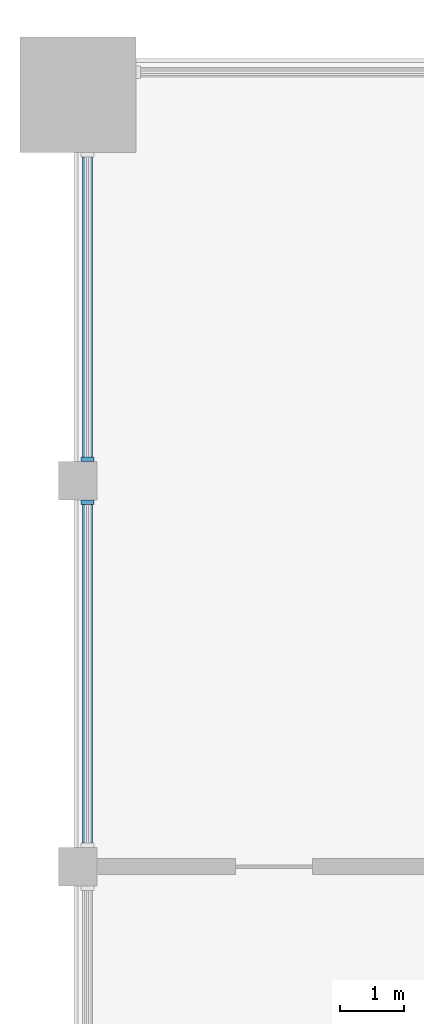
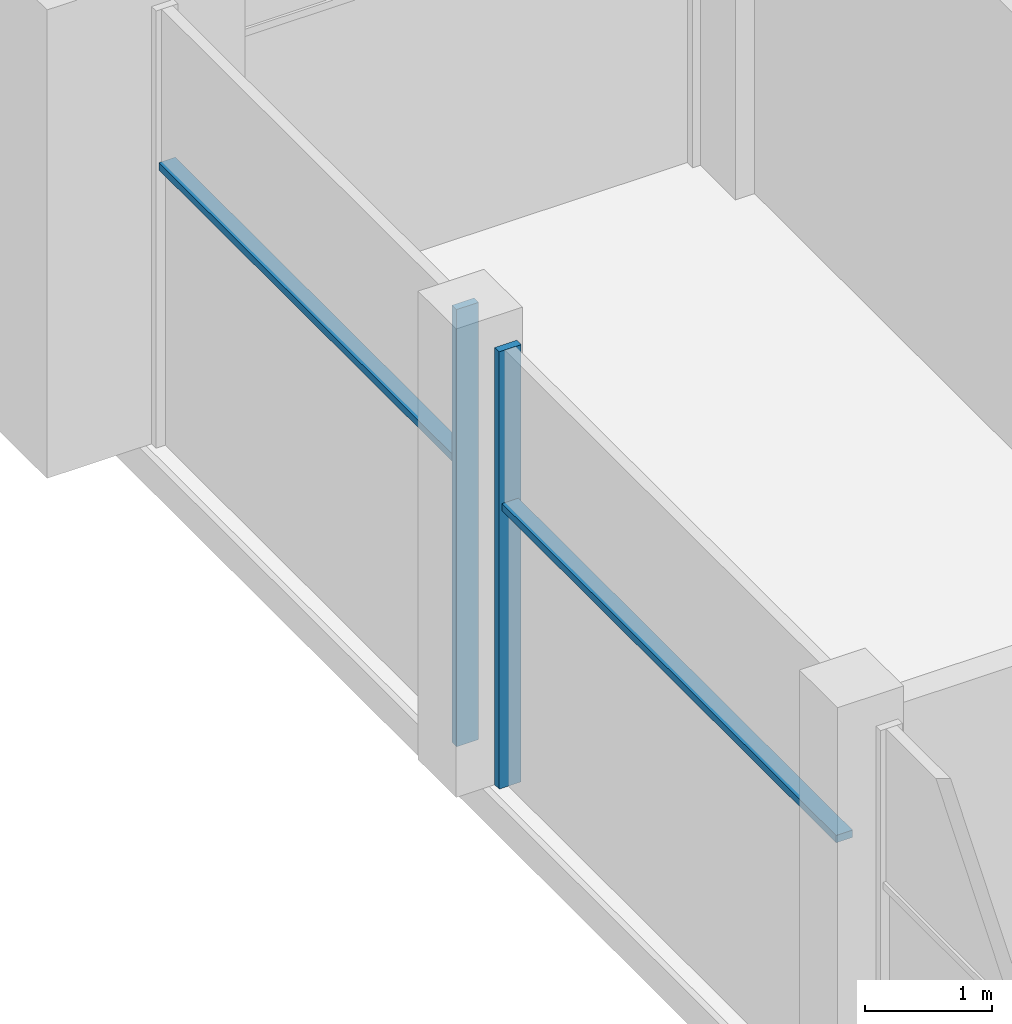
# One storey, part 3 of 9: 4 members, 2 elements without a shape of their own.
"""IFC4 building model written with IfcOpenShell, lengths in metres."""

from ifc_helpers import new_model, si_unit, direction, frame, origin, origin_2d, place, context, subcontext, project, spatial, rectangle, extrude, material, material_profile, profile_set, type_object, element, aggregate, save


model = new_model("IFC4")

# Units and contexts
model_context = context("Model", 3, precision=1e-05, world=origin(), true_north=direction((0.0, 1.0)))
body_context = subcontext(model_context, "Body", "Model", "MODEL_VIEW")
ifc_project = project(units=[si_unit("LENGTHUNIT", "METRE"), si_unit("AREAUNIT", "SQUARE_METRE"), si_unit("VOLUMEUNIT", "CUBIC_METRE"), si_unit("PLANEANGLEUNIT", "RADIAN"), si_unit("MASSUNIT", "GRAM", prefix="KILO")], contexts=[model_context])

# Site, building, storey
site_placement = place(None, origin())
site = spatial("IfcSite", under=ifc_project, at=site_placement, CompositionType="ELEMENT")
building_placement = place(site_placement, origin())
building = spatial("IfcBuilding", under=site, at=building_placement, Name="Finial Court Residences", CompositionType="ELEMENT")
storey_placement = place(building_placement, frame((0.0, 0.0, 303.199951171875)))
storey = spatial("IfcBuildingStorey", under=building, at=storey_placement, Name="L77", CompositionType="ELEMENT", Elevation=303.199951171875)

# Curtain wall, member
ifc_material = material(Name="Bronze anodised aluminium", Category="aluminium")
curtain_wall_type = type_object("IfcCurtainWallType", Name="Crown lantern glazing", PredefinedType="NOTDEFINED", material=ifc_material)
curtain_wall_1_placement = place(storey_placement, origin())
curtain_wall_1 = element("IfcCurtainWall", 1, at=curtain_wall_1_placement, inside=storey, type_object=curtain_wall_type, Name="E-L77-CW-W5c3", PredefinedType="NOTDEFINED")
ifc_material_profile_1 = material_profile(ifc_material, rectangle(XDim=0.199951171875, YDim=0.070068359375, at=origin_2d()), Name="CW6 mullion 70 x 200")
ifc_profile_set_1 = profile_set([ifc_material_profile_1], Name="Bronze anodised aluminium")
member_type_1 = type_object("IfcMemberType", Name="CW6 mullion 70 x 200", PredefinedType="MULLION", material=ifc_profile_set_1)
member_1_placement = place(storey_placement, frame((-16.35009765625, 1.1650390625, 0.0), z_axis=(0.0, 0.0, 1.0), x_axis=(-1.0, 0.0, 0.0)))
member_1 = element("IfcMember", 2, at=member_1_placement, type_object=member_type_1, Name="CW6 mullion 2", PredefinedType="MULLION", context=body_context, shape_type="SweptSolid", body=[
    extrude(rectangle(XDim=0.199951171875, YDim=0.070068359375, at=origin_2d()), origin(), (0.0, 0.0, 1.0), 4.199951171875),
])

curtain_wall_2_placement = place(storey_placement, origin())
curtain_wall_2 = element("IfcCurtainWall", 3, at=curtain_wall_2_placement, inside=storey, type_object=curtain_wall_type, Name="E-L77-CW-W5c4", PredefinedType="NOTDEFINED")
member_2_placement = place(storey_placement, frame((-16.35009765625, 1.8349609375, 0.0), z_axis=(0.0, 0.0, 1.0), x_axis=(-1.0, 0.0, 0.0)))
member_2 = element("IfcMember", 4, at=member_2_placement, type_object=member_type_1, Name="CW6 mullion 1", PredefinedType="MULLION", context=body_context, shape_type="SweptSolid", body=[
    extrude(rectangle(XDim=0.199951171875, YDim=0.070068359375, at=origin_2d()), origin(), (0.0, 0.0, 1.0), 4.199951171875),
])

# Member
ifc_material_profile_2 = material_profile(ifc_material, rectangle(XDim=0.14990234375, YDim=0.070068359375, at=origin_2d()), Name="CW6 transom 70 x 150")
ifc_profile_set_2 = profile_set([ifc_material_profile_2], Name="Bronze anodised aluminium")
member_type_2 = type_object("IfcMemberType", Name="CW6 transom 70 x 150", PredefinedType="USERDEFINED", material=ifc_profile_set_2)
member_3_placement = place(storey_placement, frame((-16.35009765625, -4.1298828125, 2.699951171875), z_axis=(0.0, 1.0, 0.0), x_axis=(-1.0, 0.0, 0.0)))
member_3 = element("IfcMember", 5, at=member_3_placement, type_object=member_type_2, Name="CW6 transom 1.1", ObjectType="TRANSOM", PredefinedType="USERDEFINED", context=body_context, shape_type="SweptSolid", body=[
    extrude(rectangle(XDim=0.14990234375, YDim=0.070068359375, at=origin_2d()), origin(), (0.0, 0.0, 1.0), 5.259765625),
])

aggregate(curtain_wall_1, [member_1, member_3])

member_4_placement = place(storey_placement, frame((-16.35009765625, 1.8701171875, 2.699951171875), z_axis=(0.0, 1.0, 0.0), x_axis=(-1.0, 0.0, 0.0)))
member_4 = element("IfcMember", 6, at=member_4_placement, type_object=member_type_2, Name="CW6 transom 1.1", ObjectType="TRANSOM", PredefinedType="USERDEFINED", context=body_context, shape_type="SweptSolid", body=[
    extrude(rectangle(XDim=0.14990234375, YDim=0.070068359375, at=origin_2d()), origin(), (0.0, 0.0, 1.0), 4.659912109375),
])

aggregate(curtain_wall_2, [member_2, member_4])

save(model, "model.ifc")
